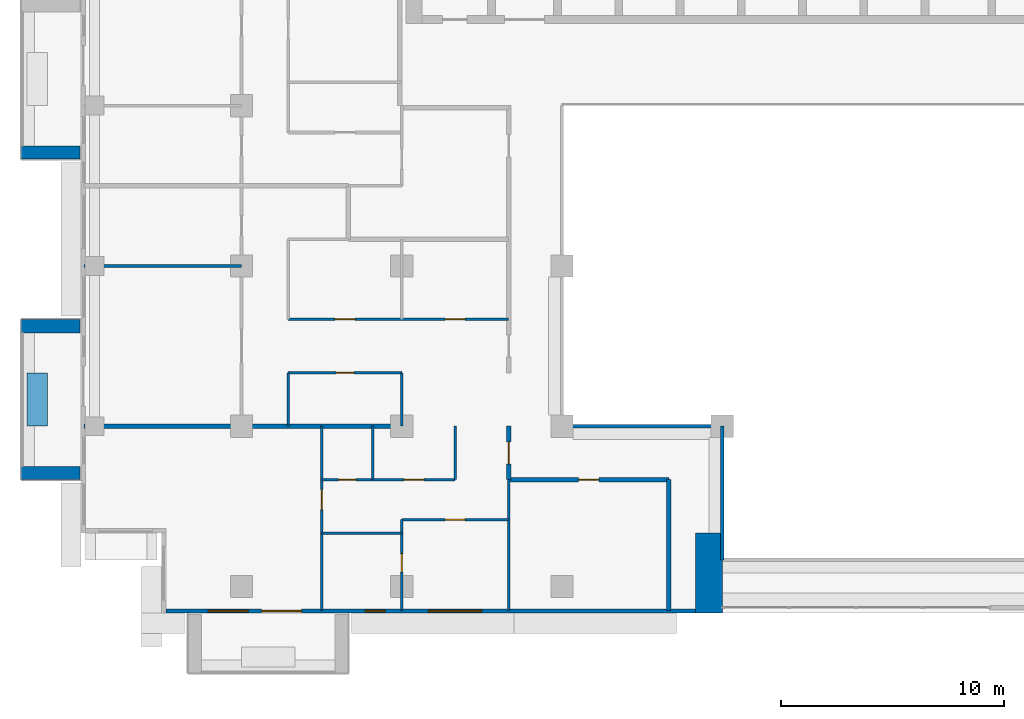
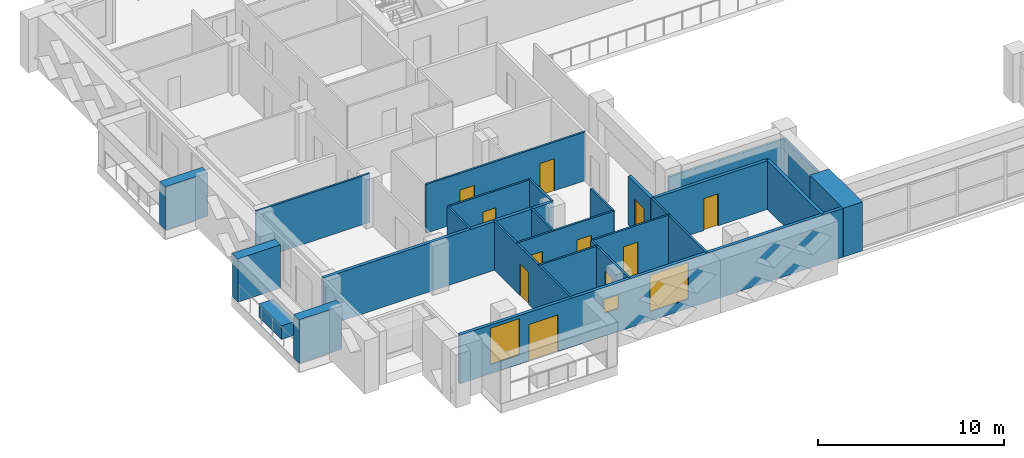
# One storey, part 6 of 20: 25 walls, 11 doors, 3 windows, 14 openings.
"""IFC4 building model written with IfcOpenShell, lengths in metres."""

import ifcopenshell
import ifcopenshell.guid

model = None  # the IFC model being written
_history = None  # IfcOwnerHistory: only IFC2X3 demands one
_inside = {}  # id of a spatial element -> (the spatial element, [elements in it])
_under = {}  # id of a project, library or spatial element -> (it, [spatial elements below it])
_declared = {}  # id of a project -> (the project, [libraries it declares])
_typed = {}  # id of a type object -> (the type object, [elements of that type])
_made_of = {}  # id of a material, layer set ... -> (it, [elements and type objects made of it])


def new_model(schema):
    """Start an empty IFC model of exactly this schema.

    Asked for "IFC4X3", IfcOpenShell would pick the latest addendum, in which some entities
    have other attributes; the version numbers below select the first issue.
    IFC2X3 requires an IfcOwnerHistory on every rooted entity: one is made here for all.
    """
    global model, _history
    if schema == "IFC4X3":
        model = ifcopenshell.file(schema_version=(4, 3, 0, 0))
    else:
        model = ifcopenshell.file(schema=schema)
    _inside.clear()
    _under.clear()
    _declared.clear()
    _typed.clear()
    _made_of.clear()
    _history = None
    if model.schema == "IFC2X3":
        org = make("IfcOrganization", Name="unknown")
        user = make(
            "IfcPersonAndOrganization",
            ThePerson=make("IfcPerson", FamilyName="unknown"),
            TheOrganization=org,
        )
        app = make(
            "IfcApplication",
            ApplicationDeveloper=org,
            Version="unknown",
            ApplicationFullName="unknown",
            ApplicationIdentifier="unknown",
        )
        _history = make(
            "IfcOwnerHistory",
            OwningUser=user,
            OwningApplication=app,
            ChangeAction="ADDED",
            CreationDate=0,
        )
    return model


def make(cls, **values):
    """One entity of the class cls with the attributes given. An attribute that is None is left unset."""
    return model.create_entity(
        cls, **{name: value for name, value in values.items() if value is not None}
    )


def rooted(cls, **values):
    """An entity with a GlobalId (a new one), such as an element, a storey or a relation."""
    return make(cls, GlobalId=ifcopenshell.guid.new(), OwnerHistory=_history, **values)


def si_unit(unit_type, name, prefix=None):
    """IfcSIUnit, for example si_unit("LENGTHUNIT", "METRE", prefix="MILLI")."""
    return make("IfcSIUnit", UnitType=unit_type, Prefix=prefix, Name=name)


def assignment(units):
    """IfcUnitAssignment: the units of a project."""
    return None if units is None else make("IfcUnitAssignment", Units=units)


def point(xyz):
    """IfcCartesianPoint."""
    return None if xyz is None else make("IfcCartesianPoint", Coordinates=xyz)


def direction(xyz):
    """IfcDirection."""
    return None if xyz is None else make("IfcDirection", DirectionRatios=xyz)


def frame(location, z_axis=None, x_axis=None):
    """IfcAxis2Placement3D, a coordinate frame: its origin and axes. An axis left out is left unset."""
    return make(
        "IfcAxis2Placement3D",
        Location=point(location),
        Axis=direction(z_axis),
        RefDirection=direction(x_axis),
    )


def frame_2d(location, x_axis=None):
    """IfcAxis2Placement2D, a coordinate frame in the plane: its origin and x axis."""
    return make(
        "IfcAxis2Placement2D", Location=point(location), RefDirection=direction(x_axis)
    )


def origin():
    """The frame at (0, 0, 0) with its axes left unset."""
    return frame((0.0, 0.0, 0.0))


def place(relative_to, where):
    """IfcLocalPlacement: puts the frame where relative to a parent placement (None: the world)."""
    return make(
        "IfcLocalPlacement", PlacementRelTo=relative_to, RelativePlacement=where
    )


def context(
    kind, dimensions, precision=None, world=None, true_north=None, identifier=None
):
    """IfcGeometricRepresentationContext, for example the 3D "Model" context."""
    return make(
        "IfcGeometricRepresentationContext",
        ContextIdentifier=identifier,
        ContextType=kind,
        CoordinateSpaceDimension=dimensions,
        Precision=precision,
        WorldCoordinateSystem=world,
        TrueNorth=true_north,
    )


def subcontext(parent, identifier, kind, view, scale=None):
    """IfcGeometricRepresentationSubContext, for example "Body" below "Model"."""
    return make(
        "IfcGeometricRepresentationSubContext",
        ContextIdentifier=identifier,
        ContextType=kind,
        ParentContext=parent,
        TargetScale=scale,
        TargetView=view,
    )


def project(units=None, contexts=None):
    """IfcProject with its units and contexts."""
    return rooted(
        "IfcProject",
        Name="project",
        RepresentationContexts=contexts,
        UnitsInContext=assignment(units),
    )


def spatial(cls, under=None, at=None, **own):
    """A site, building, storey or space (cls), placed at a placement, below another one or the project."""
    s = rooted(cls, ObjectPlacement=at, **own)
    if under is not None:
        _under.setdefault(under.id(), (under, []))[1].append(s)
    return s


def profile(cls, at=None, kind="AREA", **sizes):
    """A parametric profile (cls). Its sizes go by their IFC names, for example OverallWidth=200.0."""
    return make(cls, ProfileType=kind, Position=at, **sizes)


def rectangle(**sizes):
    """IfcRectangleProfileDef."""
    return profile("IfcRectangleProfileDef", **sizes)


def extrude(swept, where, along, depth):
    """IfcExtrudedAreaSolid: the profile swept, set in the frame where, extruded along a direction by depth."""
    return make(
        "IfcExtrudedAreaSolid",
        SweptArea=swept,
        Position=where,
        ExtrudedDirection=direction(along),
        Depth=depth,
    )


def shape(context_of_items, identifier, shape_type, items):
    """IfcShapeRepresentation: the items that make up one representation, for example the "Body"."""
    return make(
        "IfcShapeRepresentation",
        ContextOfItems=context_of_items,
        RepresentationIdentifier=identifier,
        RepresentationType=shape_type,
        Items=items,
    )


def material(Name=None, Category=None):
    """IfcMaterial."""
    return make("IfcMaterial", Name=Name, Category=Category)


def layer(
    of_material, thickness, ventilated=None, Name=None, Category=None, Priority=None
):
    """IfcMaterialLayer: one layer of a wall or slab, of a material (None: an air gap)."""
    return make(
        "IfcMaterialLayer",
        Material=of_material,
        LayerThickness=thickness,
        IsVentilated=ventilated,
        Name=Name,
        Category=Category,
        Priority=Priority,
    )


def layer_set(layers, Name=None):
    """IfcMaterialLayerSet."""
    return make("IfcMaterialLayerSet", MaterialLayers=layers, LayerSetName=Name)


def made_of(thing, what):
    """Note that an element or type object is made of a material, layer set ...; save() writes the relation."""
    if what is not None:
        _made_of.setdefault(what.id(), (what, []))[1].append(thing)
    return thing


def type_object(cls, material=None, **own):
    """A type object (cls), such as IfcWallType, which elements share."""
    return made_of(rooted(cls, **own), material)


def element(
    cls,
    number,
    at=None,
    inside=None,
    cuts=None,
    type_object=None,
    material=None,
    context=None,
    identifier="Body",
    shape_type=None,
    held_by="IfcProductDefinitionShape",
    body=None,
    shapes=None,
    **own,
):
    """One element of the class cls, such as IfcWall. Its Tag is "e" and its number.

    at: its placement. inside: the storey or other place that contains it. cuts: it is an
    opening in that element (IfcRelVoidsElement). A single representation is given by context,
    identifier, shape_type and body (its items); several are given by shapes. held_by: the class
    of the entity that holds the representations. save() writes the other relations.
    """
    e = rooted(cls, Tag="e%d" % number, ObjectPlacement=at, **own)
    if body is not None:
        shapes = [shape(context, identifier, shape_type, body)]
    if shapes is not None:
        e.Representation = make(held_by, Representations=shapes)
    if inside is not None:
        _inside.setdefault(inside.id(), (inside, []))[1].append(e)
    if cuts is not None:
        rooted(
            "IfcRelVoidsElement", RelatingBuildingElement=cuts, RelatedOpeningElement=e
        )
    if type_object is not None:
        _typed.setdefault(type_object.id(), (type_object, []))[1].append(e)
    return made_of(e, material)


def fill(opening, filler):
    """IfcRelFillsElement: the door or window that sits in an opening."""
    return rooted(
        "IfcRelFillsElement",
        RelatingOpeningElement=opening,
        RelatedBuildingElement=filler,
    )


def aggregate(whole, parts):
    """IfcRelAggregates: a whole, such as a stair, and the parts it consists of."""
    return rooted("IfcRelAggregates", RelatingObject=whole, RelatedObjects=parts)


def save(model, path):
    """Write the relations noted so far, then the file.

    IfcRelAggregates (storeys below a building ...), IfcRelContainedInSpatialStructure (elements
    in a storey), IfcRelDefinesByType, IfcRelAssociatesMaterial and IfcRelDeclares: one each for
    every whole, place, type object, material and project.
    """
    for whole, parts in _under.values():
        aggregate(whole, parts)
    for where, things in _inside.values():
        rooted(
            "IfcRelContainedInSpatialStructure",
            RelatedElements=things,
            RelatingStructure=where,
        )
    for kind, things in _typed.values():
        rooted("IfcRelDefinesByType", RelatedObjects=things, RelatingType=kind)
    for what, things in _made_of.values():
        rooted("IfcRelAssociatesMaterial", RelatedObjects=things, RelatingMaterial=what)
    for by, libraries in _declared.values():
        rooted("IfcRelDeclares", RelatingContext=by, RelatedDefinitions=libraries)
    model.write(path)


model = new_model("IFC4")

# Units and contexts
model_context = context("Model", 3, precision=1e-05, world=origin(), true_north=direction((0.0, 1.0)))
body_context = subcontext(model_context, "Body", "Model", "MODEL_VIEW")
ifc_project = project(units=[si_unit("LENGTHUNIT", "METRE"), si_unit("AREAUNIT", "SQUARE_METRE"), si_unit("VOLUMEUNIT", "CUBIC_METRE"), si_unit("PLANEANGLEUNIT", "RADIAN"), si_unit("MASSUNIT", "GRAM", prefix="KILO")], contexts=[model_context])

# Site, building, storey
site_placement = place(None, origin())
site = spatial("IfcSite", under=ifc_project, at=site_placement, CompositionType="ELEMENT")
building_placement = place(site_placement, origin())
building = spatial("IfcBuilding", under=site, at=building_placement, Name="Saffron Iwan Residences", CompositionType="ELEMENT")
storey_placement = place(building_placement, frame((0.0, 0.0, 157.0)))
storey = spatial("IfcBuildingStorey", under=building, at=storey_placement, Name="L41", CompositionType="ELEMENT", Elevation=157.0)

# Walls
ifc_material_1 = material(Name="Fire-rated glazing", Category="glass")
ifc_layer_1 = layer(ifc_material_1, 0.14990234375)
ifc_layer_set_1 = layer_set([ifc_layer_1], Name="Fire-rated glazing")
wall_type_1 = type_object("IfcWallType", Name="Atrium glazed screen 150", PredefinedType="SOLIDWALL", material=ifc_layer_set_1)
wall_1_placement = place(storey_placement, frame((36.0, 48.0, 0.0), z_axis=(0.0, 0.0, 1.0), x_axis=(1.0, 0.0, 0.0)))
element("IfcWall", 1, at=wall_1_placement, inside=storey, type_object=wall_type_1, Name="W-L41-SCREEN-h48-36", PredefinedType="SOLIDWALL", context=body_context, shape_type="SweptSolid", body=[
    extrude(rectangle(XDim=7.199951171875, YDim=0.14990234375, at=frame_2d((3.60009765625, 0.0))), origin(), (0.0, 0.0, 1.0), 2.300048828125),
])
wall_2_placement = place(storey_placement, frame((43.199951171875, 42.0, 0.0), z_axis=(0.0, 0.0, 1.0), x_axis=(0.0, 1.0, 0.0)))
element("IfcWall", 2, at=wall_2_placement, inside=storey, type_object=wall_type_1, Name="W-L41-SCREEN-v43.2-42", PredefinedType="SOLIDWALL", context=body_context, shape_type="SweptSolid", body=[
    extrude(rectangle(XDim=6.0, YDim=0.14990234375, at=frame_2d((3.0, 0.0))), origin(), (0.0, 0.0, 1.0), 2.300048828125),
])
ifc_material_2 = material(Name="Concrete C50/60 white painted", Category="concrete")
ifc_layer_2 = layer(ifc_material_2, 0.60009765625)
ifc_layer_set_2 = layer_set([ifc_layer_2], Name="Concrete C50/60 white painted")
wall_type_2 = type_object("IfcWallType", Name="BALCONY FIN 600", PredefinedType="SOLIDWALL", material=ifc_layer_set_2)
for number, where, z_axis, x_axis, name in (
    (3, (14.35009765625, 60.300048828125, 0.0), (0.0, 0.0, 1.0), (-1.0, 0.0, 0.0), "Balcony fin L41 F8-0b"),
    (4, (14.35009765625, 52.5, 0.0), (0.0, 0.0, 1.0), (-1.0, 0.0, 0.0), "Balcony fin L41 F8-1a"),
    (5, (14.35009765625, 45.89990234375, 0.0), (0.0, 0.0, 1.0), (-1.0, 0.0, 0.0), "Balcony fin L41 F8-1b"),
):
    element("IfcWall", number, at=place(storey_placement, frame(where, z_axis=z_axis, x_axis=x_axis)), inside=storey, type_object=wall_type_2, Name=name, PredefinedType="SOLIDWALL", context=body_context, shape_type="SweptSolid", body=[
        extrude(rectangle(XDim=2.650146484375, YDim=0.60009765625, at=frame_2d((1.3251953125, 0.0))), origin(), (0.0, 0.0, 1.0), 2.85009765625),
    ])
ifc_material_3 = material(Name="Concrete C35/45 white painted", Category="concrete")
ifc_layer_3 = layer(ifc_material_3, 0.14990234375)
ifc_layer_set_3 = layer_set([ifc_layer_3], Name="Concrete C35/45 white painted")
wall_type_3 = type_object("IfcWallType", Name="BALCONY PLANTER", PredefinedType="SOLIDWALL", material=ifc_layer_set_3)
wall_3_placement = place(storey_placement, frame((12.425048828125, 50.39990234375, 0.0), z_axis=(0.0, 0.0, 1.0), x_axis=(0.0, -1.0, 0.0)))
element("IfcWall", 6, at=wall_3_placement, inside=storey, type_object=wall_type_3, Name="PLANTER L41 F8-1", PredefinedType="SOLIDWALL", context=body_context, shape_type="SweptSolid", body=[
    extrude(rectangle(XDim=2.39990234375, YDim=0.89990234375, at=frame_2d((1.199951171875, 0.0))), origin(), (0.0, 0.0, 1.0), 0.89990234375),
])

# Wall, openings, door, windows
ifc_material_4 = material(Name="Concrete C40/50", Category="concrete")
ifc_layer_4 = layer(ifc_material_4, 0.199951171875)
ifc_layer_set_4 = layer_set([ifc_layer_4], Name="Concrete C40/50")
wall_type_4 = type_object("IfcWallType", Name="EXTERNAL WALL 200", PredefinedType="SOLIDWALL", material=ifc_layer_set_4)
wall_4_placement = place(storey_placement, frame((18.199951171875, 39.699951171875, 0.0), z_axis=(0.0, 0.0, 1.0), x_axis=(1.0, 0.0, 0.0)))
wall_4 = element("IfcWall", 7, at=wall_4_placement, inside=storey, type_object=wall_type_4, Name="External wall L41 F11.0", PredefinedType="SOLIDWALL", context=body_context, shape_type="SweptSolid", body=[
    extrude(rectangle(XDim=23.800048828125, YDim=0.199951171875, at=frame_2d((11.89990234375, 0.0))), origin(), (0.0, 0.0, 1.0), 3.199951171875),
])
opening_1_placement = place(wall_4_placement, frame((4.300048828125, 0.0, 0.0)))
opening_1 = element("IfcOpeningElement", 8, at=opening_1_placement, cuts=wall_4, Name="Opening BD1", PredefinedType="OPENING", context=body_context, shape_type="SweptSolid", body=[
    extrude(rectangle(XDim=1.800048828125, YDim=2.39990234375, at=frame_2d((0.89990234375, 1.199951171875))), frame((0.0, 0.10986328125, 0.0), z_axis=(0.0, -1.0, 0.0), x_axis=(1.0, 0.0, 0.0)), (0.0, 0.0, 1.0), 0.219970703125),
])
opening_2_placement = place(wall_4_placement, frame((1.89990234375, 0.0, 0.60009765625)))
opening_2 = element("IfcOpeningElement", 9, at=opening_2_placement, cuts=wall_4, Name="Opening W8", PredefinedType="OPENING", context=body_context, shape_type="SweptSolid", body=[
    extrude(rectangle(XDim=1.800048828125, YDim=2.39990234375, at=frame_2d((0.89990234375, 1.199951171875))), frame((0.0, 0.10986328125, 0.0), z_axis=(0.0, -1.0, 0.0), x_axis=(1.0, 0.0, 0.0)), (0.0, 0.0, 1.0), 0.219970703125),
])
opening_3_placement = place(wall_4_placement, frame((11.800048828125, 0.0, 0.60009765625)))
opening_3 = element("IfcOpeningElement", 10, at=opening_3_placement, cuts=wall_4, Name="Opening W1", PredefinedType="OPENING", context=body_context, shape_type="SweptSolid", body=[
    extrude(rectangle(XDim=2.39990234375, YDim=2.39990234375, at=frame_2d((1.199951171875, 1.199951171875))), frame((0.0, 0.10986328125, 0.0), z_axis=(0.0, -1.0, 0.0), x_axis=(1.0, 0.0, 0.0)), (0.0, 0.0, 1.0), 0.219970703125),
])
opening_4_placement = place(wall_4_placement, frame((8.949951171875, 0.0, 1.5)))
opening_4 = element("IfcOpeningElement", 11, at=opening_4_placement, cuts=wall_4, Name="Opening W6", PredefinedType="OPENING", context=body_context, shape_type="SweptSolid", body=[
    extrude(rectangle(XDim=0.89990234375, YDim=0.89990234375, at=frame_2d((0.449951171875, 0.449951171875))), frame((0.0, 0.10986328125, 0.0), z_axis=(0.0, -1.0, 0.0), x_axis=(1.0, 0.0, 0.0)), (0.0, 0.0, 1.0), 0.219970703125),
])
ifc_material_5 = material(Name="Clear glass, laminated double glazed", Category="glass")
door_type_1 = type_object("IfcDoorType", Name="BALCONY DOOR 1800 x 2400", OperationType="DOUBLE_DOOR_SLIDING", PredefinedType="DOOR", material=ifc_material_5)
door_1_placement = place(opening_1_placement, origin())
door_1 = element("IfcDoor", 12, at=door_1_placement, inside=storey, type_object=door_type_1, Name="Balcony door L41 F11.0", OperationType="DOUBLE_DOOR_SLIDING", OverallHeight=2.39990234375, OverallWidth=1.800048828125, PredefinedType="DOOR", context=body_context, shape_type="SweptSolid", body=[
    extrude(rectangle(XDim=1.800048828125, YDim=2.39990234375, at=frame_2d((0.89990234375, 1.199951171875))), frame((0.0, 0.02490234375, 0.0), z_axis=(0.0, -1.0, 0.0), x_axis=(1.0, 0.0, 0.0)), (0.0, 0.0, 1.0), 0.050048828125),
])
fill(opening_1, door_1)
window_type_1 = type_object("IfcWindowType", Name="WINDOW 1800 x 2400", PartitioningType="DOUBLE_PANEL_VERTICAL", PredefinedType="WINDOW", material=ifc_material_5)
window_1_placement = place(opening_2_placement, origin())
window_1 = element("IfcWindow", 13, at=window_1_placement, inside=storey, type_object=window_type_1, Name="Window L41 F11.1", OverallHeight=2.39990234375, OverallWidth=1.800048828125, PartitioningType="DOUBLE_PANEL_VERTICAL", PredefinedType="WINDOW", context=body_context, shape_type="SweptSolid", body=[
    extrude(rectangle(XDim=1.800048828125, YDim=2.39990234375, at=frame_2d((0.89990234375, 1.199951171875))), frame((0.0, 0.030029296875, 0.0), z_axis=(0.0, -1.0, 0.0), x_axis=(1.0, 0.0, 0.0)), (0.0, 0.0, 1.0), 0.06005859375),
])
fill(opening_2, window_1)
window_type_2 = type_object("IfcWindowType", Name="WINDOW 2400 x 2400", PartitioningType="DOUBLE_PANEL_VERTICAL", PredefinedType="WINDOW", material=ifc_material_5)
window_2_placement = place(opening_3_placement, origin())
window_2 = element("IfcWindow", 14, at=window_2_placement, inside=storey, type_object=window_type_2, Name="Window L41 F11.2", OverallHeight=2.39990234375, OverallWidth=2.39990234375, PartitioningType="DOUBLE_PANEL_VERTICAL", PredefinedType="WINDOW", context=body_context, shape_type="SweptSolid", body=[
    extrude(rectangle(XDim=2.39990234375, YDim=2.39990234375, at=frame_2d((1.199951171875, 1.199951171875))), frame((0.0, 0.030029296875, 0.0), z_axis=(0.0, -1.0, 0.0), x_axis=(1.0, 0.0, 0.0)), (0.0, 0.0, 1.0), 0.06005859375),
])
fill(opening_3, window_2)
window_type_3 = type_object("IfcWindowType", Name="WINDOW 900 x 900 BATH", PartitioningType="SINGLE_PANEL", PredefinedType="WINDOW", material=ifc_material_5)
window_3_placement = place(opening_4_placement, origin())
window_3 = element("IfcWindow", 15, at=window_3_placement, inside=storey, type_object=window_type_3, Name="Window L41 F11.3", OverallHeight=0.89990234375, OverallWidth=0.89990234375, PartitioningType="SINGLE_PANEL", PredefinedType="WINDOW", context=body_context, shape_type="SweptSolid", body=[
    extrude(rectangle(XDim=0.89990234375, YDim=0.89990234375, at=frame_2d((0.449951171875, 0.449951171875))), frame((0.0, 0.030029296875, 0.0), z_axis=(0.0, -1.0, 0.0), x_axis=(1.0, 0.0, 0.0)), (0.0, 0.0, 1.0), 0.06005859375),
])
fill(opening_4, window_3)

# Walls
ifc_material_6 = material(Name="Fire-rated gypsum board wall")
ifc_layer_5 = layer(ifc_material_6, 0.199951171875)
ifc_layer_set_5 = layer_set([ifc_layer_5], Name="Fire-rated gypsum board wall")
wall_type_5 = type_object("IfcWallType", Name="Flat demising wall 200", PredefinedType="SOLIDWALL", material=ifc_layer_set_5)
wall_5_placement = place(storey_placement, frame((14.52490234375, 48.0, 0.0), z_axis=(0.0, 0.0, 1.0), x_axis=(1.0, 0.0, 0.0)))
element("IfcWall", 16, at=wall_5_placement, inside=storey, type_object=wall_type_5, Name="W-L41-DEMISE-h48-14.525", PredefinedType="SOLIDWALL", context=body_context, shape_type="SweptSolid", body=[
    extrude(rectangle(XDim=14.275146484375, YDim=0.199951171875, at=frame_2d((7.1376953125, 0.0))), origin(), (0.0, 0.0, 1.0), 3.199951171875),
])
ifc_material_7 = material(Name="Gypsum board partition")
ifc_layer_6 = layer(ifc_material_7, 0.1201171875)
ifc_layer_set_6 = layer_set([ifc_layer_6], Name="Gypsum board partition")
wall_type_6 = type_object("IfcWallType", Name="Flat partition 120", PredefinedType="PARTITIONING", material=ifc_layer_set_6)
wall_6_placement = place(storey_placement, frame((25.199951171875, 43.199951171875, 0.0), z_axis=(0.0, 0.0, 1.0), x_axis=(1.0, 0.0, 0.0)))
element("IfcWall", 17, at=wall_6_placement, inside=storey, type_object=wall_type_6, Name="W-L41-PART-h43.2-25.2", PredefinedType="PARTITIONING", context=body_context, shape_type="SweptSolid", body=[
    extrude(rectangle(XDim=3.60009765625, YDim=0.1201171875, at=frame_2d((1.800048828125, 0.0))), origin(), (0.0, 0.0, 1.0), 3.199951171875),
])

# Wall, opening, door
wall_7_placement = place(storey_placement, frame((28.800048828125, 43.800048828125, 0.0), z_axis=(0.0, 0.0, 1.0), x_axis=(1.0, 0.0, 0.0)))
wall_7 = element("IfcWall", 18, at=wall_7_placement, inside=storey, type_object=wall_type_6, Name="W-L41-PART-h43.8-28.8", PredefinedType="PARTITIONING", context=body_context, shape_type="SweptSolid", body=[
    extrude(rectangle(XDim=4.800048828125, YDim=0.1201171875, at=frame_2d((2.39990234375, 0.0))), origin(), (0.0, 0.0, 1.0), 3.199951171875),
])
opening_5_placement = place(wall_7_placement, frame((1.949951171875, 0.0, 0.0)))
opening_5 = element("IfcOpeningElement", 19, at=opening_5_placement, cuts=wall_7, Name="Opening FD2", PredefinedType="OPENING", context=body_context, shape_type="SweptSolid", body=[
    extrude(rectangle(XDim=0.89990234375, YDim=2.10009765625, at=frame_2d((0.449951171875, 1.050048828125))), frame((0.0, 0.070068359375, 0.0), z_axis=(0.0, -1.0, 0.0), x_axis=(1.0, 0.0, 0.0)), (0.0, 0.0, 1.0), 0.14013671875),
])
ifc_material_8 = material(Name="Timber door", Category="wood")
door_type_2 = type_object("IfcDoorType", Name="Flat door 900", OperationType="NOTDEFINED", PredefinedType="DOOR", material=ifc_material_8)
door_2_placement = place(opening_5_placement, origin())
door_2 = element("IfcDoor", 20, at=door_2_placement, inside=storey, type_object=door_type_2, Name="Door L41-003", OperationType="SINGLE_SWING_LEFT", OverallHeight=2.10009765625, OverallWidth=0.89990234375, PredefinedType="DOOR", context=body_context, shape_type="SweptSolid", body=[
    extrude(rectangle(XDim=0.89990234375, YDim=2.10009765625, at=frame_2d((0.449951171875, 1.050048828125))), frame((0.0, 0.02490234375, 0.0), z_axis=(0.0, -1.0, 0.0), x_axis=(1.0, 0.0, 0.0)), (0.0, 0.0, 1.0), 0.050048828125),
])
fill(opening_5, door_2)

# Wall, openings, doors
wall_8_placement = place(storey_placement, frame((25.199951171875, 45.60009765625, 0.0), z_axis=(0.0, 0.0, 1.0), x_axis=(1.0, 0.0, 0.0)))
wall_8 = element("IfcWall", 21, at=wall_8_placement, inside=storey, type_object=wall_type_6, Name="W-L41-PART-h45.6-25.2", PredefinedType="PARTITIONING", context=body_context, shape_type="SweptSolid", body=[
    extrude(rectangle(XDim=6.0, YDim=0.1201171875, at=frame_2d((3.0, 0.0))), origin(), (0.0, 0.0, 1.0), 3.199951171875),
])
opening_6_placement = place(wall_8_placement, frame((0.75, 0.0, 0.0)))
opening_6 = element("IfcOpeningElement", 22, at=opening_6_placement, cuts=wall_8, Name="Opening FD3", PredefinedType="OPENING", context=body_context, shape_type="SweptSolid", body=[
    extrude(rectangle(XDim=0.800048828125, YDim=2.10009765625, at=frame_2d((0.39990234375, 1.050048828125))), frame((0.0, 0.070068359375, 0.0), z_axis=(0.0, -1.0, 0.0), x_axis=(1.0, 0.0, 0.0)), (0.0, 0.0, 1.0), 0.14013671875),
])
opening_7_placement = place(wall_8_placement, frame((3.699951171875, 0.0, 0.0)))
opening_7 = element("IfcOpeningElement", 23, at=opening_7_placement, cuts=wall_8, Name="Opening FD2", PredefinedType="OPENING", context=body_context, shape_type="SweptSolid", body=[
    extrude(rectangle(XDim=0.89990234375, YDim=2.10009765625, at=frame_2d((0.449951171875, 1.050048828125))), frame((0.0, 0.070068359375, 0.0), z_axis=(0.0, -1.0, 0.0), x_axis=(1.0, 0.0, 0.0)), (0.0, 0.0, 1.0), 0.14013671875),
])
door_type_3 = type_object("IfcDoorType", Name="Bathroom door 800", OperationType="NOTDEFINED", PredefinedType="DOOR", material=ifc_material_8)
door_3_placement = place(opening_6_placement, origin())
door_3 = element("IfcDoor", 24, at=door_3_placement, inside=storey, type_object=door_type_3, Name="Door L41-005", OperationType="SINGLE_SWING_RIGHT", OverallHeight=2.10009765625, OverallWidth=0.800048828125, PredefinedType="DOOR", context=body_context, shape_type="SweptSolid", body=[
    extrude(rectangle(XDim=0.800048828125, YDim=2.10009765625, at=frame_2d((0.39990234375, 1.050048828125))), frame((0.0, 0.02490234375, 0.0), z_axis=(0.0, -1.0, 0.0), x_axis=(1.0, 0.0, 0.0)), (0.0, 0.0, 1.0), 0.050048828125),
])
fill(opening_6, door_3)
door_4_placement = place(opening_7_placement, origin())
door_4 = element("IfcDoor", 25, at=door_4_placement, inside=storey, type_object=door_type_2, Name="Door L41-006", OperationType="SINGLE_SWING_LEFT", OverallHeight=2.10009765625, OverallWidth=0.89990234375, PredefinedType="DOOR", context=body_context, shape_type="SweptSolid", body=[
    extrude(rectangle(XDim=0.89990234375, YDim=2.10009765625, at=frame_2d((0.449951171875, 1.050048828125))), frame((0.0, 0.02490234375, 0.0), z_axis=(0.0, -1.0, 0.0), x_axis=(1.0, 0.0, 0.0)), (0.0, 0.0, 1.0), 0.050048828125),
])
fill(opening_7, door_4)

# Wall, opening, door
wall_9_placement = place(storey_placement, frame((23.699951171875, 50.39990234375, 0.0), z_axis=(0.0, 0.0, 1.0), x_axis=(1.0, 0.0, 0.0)))
wall_9 = element("IfcWall", 26, at=wall_9_placement, inside=storey, type_object=wall_type_6, Name="W-L41-PART-h50.4-23.7", PredefinedType="PARTITIONING", context=body_context, shape_type="SweptSolid", body=[
    extrude(rectangle(XDim=5.10009765625, YDim=0.1201171875, at=frame_2d((2.550048828125, 0.0))), origin(), (0.0, 0.0, 1.0), 3.199951171875),
])
opening_8_placement = place(wall_9_placement, frame((2.14990234375, 0.0, 0.0)))
opening_8 = element("IfcOpeningElement", 27, at=opening_8_placement, cuts=wall_9, Name="Opening FD3", PredefinedType="OPENING", context=body_context, shape_type="SweptSolid", body=[
    extrude(rectangle(XDim=0.800048828125, YDim=2.10009765625, at=frame_2d((0.39990234375, 1.050048828125))), frame((0.0, 0.070068359375, 0.0), z_axis=(0.0, -1.0, 0.0), x_axis=(1.0, 0.0, 0.0)), (0.0, 0.0, 1.0), 0.14013671875),
])
door_5_placement = place(opening_8_placement, origin())
door_5 = element("IfcDoor", 28, at=door_5_placement, inside=storey, type_object=door_type_3, Name="Door L41-011", OperationType="SINGLE_SWING_RIGHT", OverallHeight=2.10009765625, OverallWidth=0.800048828125, PredefinedType="DOOR", context=body_context, shape_type="SweptSolid", body=[
    extrude(rectangle(XDim=0.800048828125, YDim=2.10009765625, at=frame_2d((0.39990234375, 1.050048828125))), frame((0.0, 0.02490234375, 0.0), z_axis=(0.0, -1.0, 0.0), x_axis=(1.0, 0.0, 0.0)), (0.0, 0.0, 1.0), 0.050048828125),
])
fill(opening_8, door_5)

# Wall, openings, doors
wall_10_placement = place(storey_placement, frame((23.699951171875, 52.800048828125, 0.0), z_axis=(0.0, 0.0, 1.0), x_axis=(1.0, 0.0, 0.0)))
wall_10 = element("IfcWall", 29, at=wall_10_placement, inside=storey, type_object=wall_type_6, Name="W-L41-PART-h52.8-23.7", PredefinedType="PARTITIONING", context=body_context, shape_type="SweptSolid", body=[
    extrude(rectangle(XDim=9.900146484375, YDim=0.1201171875, at=frame_2d((4.9501953125, 0.0))), origin(), (0.0, 0.0, 1.0), 3.199951171875),
])
opening_9_placement = place(wall_10_placement, frame((2.10009765625, 0.0, 0.0)))
opening_9 = element("IfcOpeningElement", 30, at=opening_9_placement, cuts=wall_10, Name="Opening FD2", PredefinedType="OPENING", context=body_context, shape_type="SweptSolid", body=[
    extrude(rectangle(XDim=0.89990234375, YDim=2.10009765625, at=frame_2d((0.449951171875, 1.050048828125))), frame((0.0, 0.070068359375, 0.0), z_axis=(0.0, -1.0, 0.0), x_axis=(1.0, 0.0, 0.0)), (0.0, 0.0, 1.0), 0.14013671875),
])
opening_10_placement = place(wall_10_placement, frame((7.050048828125, 0.0, 0.0)))
opening_10 = element("IfcOpeningElement", 31, at=opening_10_placement, cuts=wall_10, Name="Opening FD2", PredefinedType="OPENING", context=body_context, shape_type="SweptSolid", body=[
    extrude(rectangle(XDim=0.89990234375, YDim=2.10009765625, at=frame_2d((0.449951171875, 1.050048828125))), frame((0.0, 0.070068359375, 0.0), z_axis=(0.0, -1.0, 0.0), x_axis=(1.0, 0.0, 0.0)), (0.0, 0.0, 1.0), 0.14013671875),
])
door_6_placement = place(opening_9_placement, origin())
door_6 = element("IfcDoor", 32, at=door_6_placement, inside=storey, type_object=door_type_2, Name="Door L41-012", OperationType="SINGLE_SWING_LEFT", OverallHeight=2.10009765625, OverallWidth=0.89990234375, PredefinedType="DOOR", context=body_context, shape_type="SweptSolid", body=[
    extrude(rectangle(XDim=0.89990234375, YDim=2.10009765625, at=frame_2d((0.449951171875, 1.050048828125))), frame((0.0, 0.02490234375, 0.0), z_axis=(0.0, -1.0, 0.0), x_axis=(1.0, 0.0, 0.0)), (0.0, 0.0, 1.0), 0.050048828125),
])
fill(opening_9, door_6)
door_7_placement = place(opening_10_placement, origin())
door_7 = element("IfcDoor", 33, at=door_7_placement, inside=storey, type_object=door_type_2, Name="Door L41-013", OperationType="SINGLE_SWING_LEFT", OverallHeight=2.10009765625, OverallWidth=0.89990234375, PredefinedType="DOOR", context=body_context, shape_type="SweptSolid", body=[
    extrude(rectangle(XDim=0.89990234375, YDim=2.10009765625, at=frame_2d((0.449951171875, 1.050048828125))), frame((0.0, 0.02490234375, 0.0), z_axis=(0.0, -1.0, 0.0), x_axis=(1.0, 0.0, 0.0)), (0.0, 0.0, 1.0), 0.050048828125),
])
fill(opening_10, door_7)

# Walls
wall_11_placement = place(storey_placement, frame((14.52490234375, 55.199951171875, 0.0), z_axis=(0.0, 0.0, 1.0), x_axis=(1.0, 0.0, 0.0)))
element("IfcWall", 34, at=wall_11_placement, inside=storey, type_object=wall_type_6, Name="W-L41-PART-h55.2-14.525", PredefinedType="PARTITIONING", context=body_context, shape_type="SweptSolid", body=[
    extrude(rectangle(XDim=7.0751953125, YDim=0.1201171875, at=frame_2d((3.53759765625, 0.0))), origin(), (0.0, 0.0, 1.0), 3.199951171875),
])
wall_12_placement = place(storey_placement, frame((23.699951171875, 48.0, 0.0), z_axis=(0.0, 0.0, 1.0), x_axis=(0.0, 1.0, 0.0)))
element("IfcWall", 35, at=wall_12_placement, inside=storey, type_object=wall_type_6, Name="W-L41-PART-v23.7-48", PredefinedType="PARTITIONING", context=body_context, shape_type="SweptSolid", body=[
    extrude(rectangle(XDim=2.39990234375, YDim=0.1201171875, at=frame_2d((1.199951171875, 0.0))), origin(), (0.0, 0.0, 1.0), 3.199951171875),
])

# Wall, opening, door
wall_13_placement = place(storey_placement, frame((25.199951171875, 39.72509765625, 0.0), z_axis=(0.0, 0.0, 1.0), x_axis=(0.0, 1.0, 0.0)))
wall_13 = element("IfcWall", 36, at=wall_13_placement, inside=storey, type_object=wall_type_6, Name="W-L41-PART-v25.2-39.725", PredefinedType="PARTITIONING", context=body_context, shape_type="SweptSolid", body=[
    extrude(rectangle(XDim=8.27490234375, YDim=0.1201171875, at=frame_2d((4.137451171875, 0.0))), origin(), (0.0, 0.0, 1.0), 3.199951171875),
])
opening_11_placement = place(wall_13_placement, frame((4.52490234375, 0.0, 0.0)))
opening_11 = element("IfcOpeningElement", 37, at=opening_11_placement, cuts=wall_13, Name="Opening FD2", PredefinedType="OPENING", context=body_context, shape_type="SweptSolid", body=[
    extrude(rectangle(XDim=0.89990234375, YDim=2.10009765625, at=frame_2d((0.449951171875, 1.050048828125))), frame((0.0, 0.070068359375, 0.0), z_axis=(0.0, -1.0, 0.0), x_axis=(1.0, 0.0, 0.0)), (0.0, 0.0, 1.0), 0.14013671875),
])
door_8_placement = place(opening_11_placement, origin())
door_8 = element("IfcDoor", 38, at=door_8_placement, inside=storey, type_object=door_type_2, Name="Door L41-002", OperationType="SINGLE_SWING_RIGHT", OverallHeight=2.10009765625, OverallWidth=0.89990234375, PredefinedType="DOOR", context=body_context, shape_type="SweptSolid", body=[
    extrude(rectangle(XDim=0.89990234375, YDim=2.10009765625, at=frame_2d((0.449951171875, 1.050048828125))), frame((0.0, 0.02490234375, 0.0), z_axis=(0.0, -1.0, 0.0), x_axis=(1.0, 0.0, 0.0)), (0.0, 0.0, 1.0), 0.050048828125),
])
fill(opening_11, door_8)

# Wall
wall_14_placement = place(storey_placement, frame((27.5, 45.60009765625, 0.0), z_axis=(0.0, 0.0, 1.0), x_axis=(0.0, 1.0, 0.0)))
element("IfcWall", 39, at=wall_14_placement, inside=storey, type_object=wall_type_6, Name="W-L41-PART-v27.5-45.6", PredefinedType="PARTITIONING", context=body_context, shape_type="SweptSolid", body=[
    extrude(rectangle(XDim=2.39990234375, YDim=0.1201171875, at=frame_2d((1.199951171875, 0.0))), origin(), (0.0, 0.0, 1.0), 3.199951171875),
])

# Wall, opening, door
wall_15_placement = place(storey_placement, frame((28.800048828125, 39.72509765625, 0.0), z_axis=(0.0, 0.0, 1.0), x_axis=(0.0, 1.0, 0.0)))
wall_15 = element("IfcWall", 40, at=wall_15_placement, inside=storey, type_object=wall_type_6, Name="W-L41-PART-v28.8-39.725", PredefinedType="PARTITIONING", context=body_context, shape_type="SweptSolid", body=[
    extrude(rectangle(XDim=4.074951171875, YDim=0.1201171875, at=frame_2d((2.03759765625, 0.0))), origin(), (0.0, 0.0, 1.0), 3.199951171875),
])
opening_12_placement = place(wall_15_placement, frame((1.737548828125, 0.0, 0.0)))
opening_12 = element("IfcOpeningElement", 41, at=opening_12_placement, cuts=wall_15, Name="Opening FD3", PredefinedType="OPENING", context=body_context, shape_type="SweptSolid", body=[
    extrude(rectangle(XDim=0.800048828125, YDim=2.10009765625, at=frame_2d((0.39990234375, 1.050048828125))), frame((0.0, 0.070068359375, 0.0), z_axis=(0.0, -1.0, 0.0), x_axis=(1.0, 0.0, 0.0)), (0.0, 0.0, 1.0), 0.14013671875),
])
door_9_placement = place(opening_12_placement, origin())
door_9 = element("IfcDoor", 42, at=door_9_placement, inside=storey, type_object=door_type_3, Name="Door L41-004", OperationType="SINGLE_SWING_RIGHT", OverallHeight=2.10009765625, OverallWidth=0.800048828125, PredefinedType="DOOR", context=body_context, shape_type="SweptSolid", body=[
    extrude(rectangle(XDim=0.800048828125, YDim=2.10009765625, at=frame_2d((0.39990234375, 1.050048828125))), frame((0.0, 0.02490234375, 0.0), z_axis=(0.0, -1.0, 0.0), x_axis=(1.0, 0.0, 0.0)), (0.0, 0.0, 1.0), 0.050048828125),
])
fill(opening_12, door_9)

# Walls
for number, where, z_axis, x_axis, name in (
    (43, (28.800048828125, 48.0, 0.0), (0.0, 0.0, 1.0), (0.0, 1.0, 0.0), "W-L41-PART-v28.8-48"),
    (44, (31.199951171875, 45.60009765625, 0.0), (0.0, 0.0, 1.0), (0.0, 1.0, 0.0), "W-L41-PART-v31.2-45.6"),
):
    element("IfcWall", number, at=place(storey_placement, frame(where, z_axis=z_axis, x_axis=x_axis)), inside=storey, type_object=wall_type_6, Name=name, PredefinedType="PARTITIONING", context=body_context, shape_type="SweptSolid", body=[
        extrude(rectangle(XDim=2.39990234375, YDim=0.1201171875, at=frame_2d((1.199951171875, 0.0))), origin(), (0.0, 0.0, 1.0), 3.199951171875),
    ])
wall_16_placement = place(storey_placement, frame((33.60009765625, 39.72509765625, 0.0), z_axis=(0.0, 0.0, 1.0), x_axis=(0.0, 1.0, 0.0)))
element("IfcWall", 45, at=wall_16_placement, inside=storey, type_object=wall_type_6, Name="W-L41-PART-v33.6-39.725", PredefinedType="PARTITIONING", context=body_context, shape_type="SweptSolid", body=[
    extrude(rectangle(XDim=5.875, YDim=0.1201171875, at=frame_2d((2.9375, 0.0))), origin(), (0.0, 0.0, 1.0), 3.199951171875),
])

# Wall, opening, door
ifc_layer_7 = layer(ifc_material_6, 0.199951171875)
ifc_layer_set_7 = layer_set([ifc_layer_7], Name="Fire-rated gypsum board wall")
wall_type_7 = type_object("IfcWallType", Name="Gallery wall 200", PredefinedType="SOLIDWALL", material=ifc_layer_set_7)
wall_17_placement = place(storey_placement, frame((33.60009765625, 45.60009765625, 0.0), z_axis=(0.0, 0.0, 1.0), x_axis=(1.0, 0.0, 0.0)))
wall_17 = element("IfcWall", 46, at=wall_17_placement, inside=storey, type_object=wall_type_7, Name="W-L41-CORR-h45.6-33.6", PredefinedType="SOLIDWALL", context=body_context, shape_type="SweptSolid", body=[
    extrude(rectangle(XDim=7.199951171875, YDim=0.199951171875, at=frame_2d((3.60009765625, 0.0))), origin(), (0.0, 0.0, 1.0), 3.199951171875),
])
opening_13_placement = place(wall_17_placement, frame((3.14990234375, 0.0, 0.0)))
opening_13 = element("IfcOpeningElement", 47, at=opening_13_placement, cuts=wall_17, Name="Opening FD2", PredefinedType="OPENING", context=body_context, shape_type="SweptSolid", body=[
    extrude(rectangle(XDim=0.89990234375, YDim=2.10009765625, at=frame_2d((0.449951171875, 1.050048828125))), frame((0.0, 0.10986328125, 0.0), z_axis=(0.0, -1.0, 0.0), x_axis=(1.0, 0.0, 0.0)), (0.0, 0.0, 1.0), 0.219970703125),
])
door_10_placement = place(opening_13_placement, origin())
door_10 = element("IfcDoor", 48, at=door_10_placement, inside=storey, type_object=door_type_2, Name="Door L41-007", OperationType="SINGLE_SWING_LEFT", OverallHeight=2.10009765625, OverallWidth=0.89990234375, PredefinedType="DOOR", context=body_context, shape_type="SweptSolid", body=[
    extrude(rectangle(XDim=0.89990234375, YDim=2.10009765625, at=frame_2d((0.449951171875, 1.050048828125))), frame((0.0, 0.02490234375, 0.0), z_axis=(0.0, -1.0, 0.0), x_axis=(1.0, 0.0, 0.0)), (0.0, 0.0, 1.0), 0.050048828125),
])
fill(opening_13, door_10)

wall_18_placement = place(storey_placement, frame((33.60009765625, 45.60009765625, 0.0), z_axis=(0.0, 0.0, 1.0), x_axis=(0.0, 1.0, 0.0)))
wall_18 = element("IfcWall", 49, at=wall_18_placement, inside=storey, type_object=wall_type_7, Name="W-L41-CORR-v33.6-45.6", PredefinedType="SOLIDWALL", context=body_context, shape_type="SweptSolid", body=[
    extrude(rectangle(XDim=2.39990234375, YDim=0.199951171875, at=frame_2d((1.199951171875, 0.0))), origin(), (0.0, 0.0, 1.0), 3.199951171875),
])
opening_14_placement = place(wall_18_placement, frame((0.699951171875, 0.0, 0.0)))
opening_14 = element("IfcOpeningElement", 50, at=opening_14_placement, cuts=wall_18, Name="Opening FD1", PredefinedType="OPENING", context=body_context, shape_type="SweptSolid", body=[
    extrude(rectangle(XDim=1.0, YDim=2.10009765625, at=frame_2d((0.5, 1.050048828125))), frame((0.0, 0.10986328125, 0.0), z_axis=(0.0, -1.0, 0.0), x_axis=(1.0, 0.0, 0.0)), (0.0, 0.0, 1.0), 0.219970703125),
])
ifc_material_9 = material(Name="Fire-rated timber door", Category="wood")
door_type_4 = type_object("IfcDoorType", Name="FD30S flat entrance door 1000", OperationType="NOTDEFINED", PredefinedType="DOOR", material=ifc_material_9)
door_11_placement = place(opening_14_placement, origin())
door_11 = element("IfcDoor", 51, at=door_11_placement, inside=storey, type_object=door_type_4, Name="Door L41-001", OperationType="SINGLE_SWING_LEFT", OverallHeight=2.10009765625, OverallWidth=1.0, PredefinedType="DOOR", context=body_context, shape_type="SweptSolid", body=[
    extrude(rectangle(XDim=1.0, YDim=2.10009765625, at=frame_2d((0.5, 1.050048828125))), frame((0.0, 0.02490234375, 0.0), z_axis=(0.0, -1.0, 0.0), x_axis=(1.0, 0.0, 0.0)), (0.0, 0.0, 1.0), 0.050048828125),
])
fill(opening_14, door_11)

# Walls
wall_19_placement = place(storey_placement, frame((40.800048828125, 39.72509765625, 0.0), z_axis=(0.0, 0.0, 1.0), x_axis=(0.0, 1.0, 0.0)))
element("IfcWall", 52, at=wall_19_placement, inside=storey, type_object=wall_type_7, Name="W-L41-CORR-v40.8-39.725", PredefinedType="SOLIDWALL", context=body_context, shape_type="SweptSolid", body=[
    extrude(rectangle(XDim=5.875, YDim=0.199951171875, at=frame_2d((2.9375, 0.0))), origin(), (0.0, 0.0, 1.0), 3.199951171875),
])
ifc_material_10 = material(Name="Concrete C50/60", Category="concrete")
ifc_layer_8 = layer(ifc_material_10, 1.199951171875)
ifc_layer_set_8 = layer_set([ifc_layer_8], Name="Concrete C50/60")
wall_type_8 = type_object("IfcWallType", Name="WALL IWAN PIER 1200 C50/60 3200 HIGH", PredefinedType="SHEAR", material=ifc_layer_set_8)
wall_20_placement = place(storey_placement, frame((42.60009765625, 39.60009765625, 0.0), z_axis=(0.0, 0.0, 1.0), x_axis=(0.0, 1.0, 0.0)))
element("IfcWall", 53, at=wall_20_placement, inside=storey, type_object=wall_type_8, Name="IWAN PIER", PredefinedType="SHEAR", context=body_context, shape_type="SweptSolid", body=[
    extrude(rectangle(XDim=3.599853515625, YDim=1.199951171875, at=frame_2d((1.7998046875, 0.0))), origin(), (0.0, 0.0, 1.0), 3.199951171875),
])

save(model, "model.ifc")
